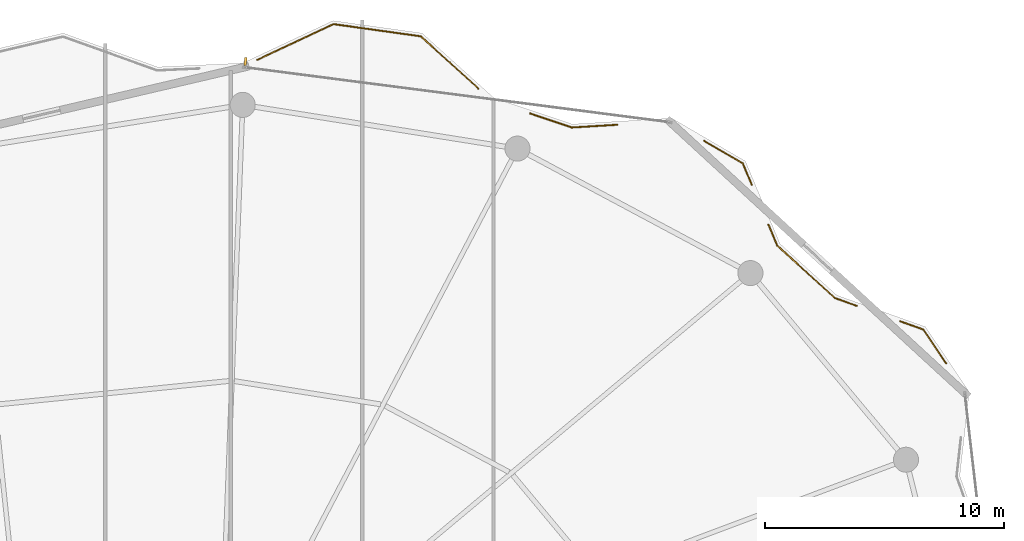
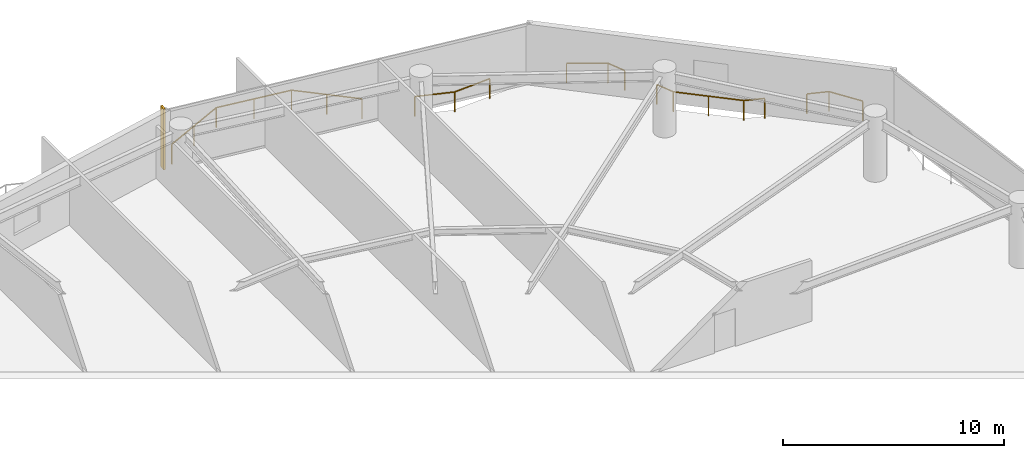
# One storey, part 31 of 31: 5 railings, 1 shading device.
"""IFC4 building model written with IfcOpenShell, lengths in metres."""

from ifc_helpers import new_model, si_unit, direction, frame, origin, origin_2d, place, context, subcontext, project, spatial, rectangle, extrude, material, type_object, element, save


model = new_model("IFC4")

# Units and contexts
model_context = context("Model", 3, precision=1e-05, world=origin(), true_north=direction((0.0, 1.0)))
body_context = subcontext(model_context, "Body", "Model", "MODEL_VIEW")
ifc_project = project(units=[si_unit("LENGTHUNIT", "METRE"), si_unit("AREAUNIT", "SQUARE_METRE"), si_unit("VOLUMEUNIT", "CUBIC_METRE"), si_unit("PLANEANGLEUNIT", "RADIAN"), si_unit("MASSUNIT", "GRAM", prefix="KILO")], contexts=[model_context])

# Site, building, storey
site_placement = place(None, origin())
site = spatial("IfcSite", under=ifc_project, at=site_placement, CompositionType="ELEMENT")
building_placement = place(site_placement, origin())
building = spatial("IfcBuilding", under=site, at=building_placement, Name="Kazevale Care Tower and Concert Hall", CompositionType="ELEMENT")
storey_placement = place(building_placement, frame((0.0, 0.0, 217.199951171875)))
storey = spatial("IfcBuildingStorey", under=building, at=storey_placement, Name="L57", CompositionType="ELEMENT", Elevation=217.199951171875)

# Railings
ifc_material_1 = material(Name="Anodised Bronze Aluminium and Laminated Glass", Category="aluminium")
railing_type = type_object("IfcRailingType", Name="Balcony and Terrace Balustrade 1120", PredefinedType="BALUSTRADE", material=ifc_material_1)
railing_1_placement = place(storey_placement, frame((45.610107421875, 63.931884765625, 0.0)))
element("IfcRailing", 1, at=railing_1_placement, inside=storey, type_object=railing_type, Name="rail:L57:perim:6", PredefinedType="BALUSTRADE", context=body_context, shape_type="SweptSolid", body=[
    extrude(rectangle(XDim=0.048095703125, YDim=0.048095703125, at=origin_2d()), frame((0.0, 0.0, 1.09619140625), z_axis=(0.905100997077, 0.42519664285, 0.0), x_axis=(-0.42519664285, 0.905100997077, 0.0)), (0.0, 0.0, 1.0), 3.525390625),
    extrude(rectangle(XDim=0.048095703125, YDim=0.048095703125, at=origin_2d()), frame((3.19091796875, 1.4990234375, 1.09619140625), z_axis=(0.990362854901, -0.138496987809, 0.0), x_axis=(0.138496987809, 0.990362854901, 0.0)), (0.0, 0.0, 1.0), 3.682373046875),
    extrude(rectangle(XDim=0.048095703125, YDim=0.048095703125, at=origin_2d()), frame((6.837890625, 0.989013671875, 1.09619140625), z_axis=(0.74237767764, -0.669981629407, 0.0), x_axis=(0.669981629407, 0.74237767764, 0.0)), (0.0, 0.0, 1.0), 3.260986328125),
    extrude(rectangle(XDim=0.0419921875, YDim=0.0419921875, at=origin_2d()), origin(), (0.0, 0.0, 1.0), 1.072021484375),
    extrude(rectangle(XDim=0.0419921875, YDim=0.0419921875, at=origin_2d()), frame((1.595458984375, 0.74951171875, 0.0)), (0.0, 0.0, 1.0), 1.072021484375),
    extrude(rectangle(XDim=0.0419921875, YDim=0.0419921875, at=origin_2d()), frame((3.19091796875, 1.4990234375, 0.0)), (0.0, 0.0, 1.0), 1.072021484375),
    extrude(rectangle(XDim=0.0419921875, YDim=0.0419921875, at=origin_2d()), frame((5.014404296875, 1.244140625, 0.0)), (0.0, 0.0, 1.0), 1.072021484375),
    extrude(rectangle(XDim=0.0419921875, YDim=0.0419921875, at=origin_2d()), frame((6.837890625, 0.989013671875, 0.0)), (0.0, 0.0, 1.0), 1.072021484375),
    extrude(rectangle(XDim=0.0419921875, YDim=0.0419921875, at=origin_2d()), frame((8.04833984375, -0.103515625, 0.0)), (0.0, 0.0, 1.0), 1.072021484375),
    extrude(rectangle(XDim=0.0419921875, YDim=0.0419921875, at=origin_2d()), frame((9.2587890625, -1.19580078125, 0.0)), (0.0, 0.0, 1.0), 1.072021484375),
])
railing_2_placement = place(storey_placement, frame((57.032958984375, 61.68994140625, 0.0)))
element("IfcRailing", 2, at=railing_2_placement, inside=storey, type_object=railing_type, Name="rail:L57:perim:7", PredefinedType="BALUSTRADE", context=body_context, shape_type="SweptSolid", body=[
    extrude(rectangle(XDim=0.048095703125, YDim=0.048095703125, at=origin_2d()), frame((0.0, 0.0, 1.09619140625), z_axis=(0.948045105832, -0.318135941554, 0.0), x_axis=(0.318135941554, 0.948045105832, 0.0)), (0.0, 0.0, 1.0), 1.841796875),
    extrude(rectangle(XDim=0.048095703125, YDim=0.048095703125, at=origin_2d()), frame((1.74609375, -0.5859375, 1.09619140625), z_axis=(0.998181354811, 0.060282525723, 0.0), x_axis=(-0.060282525723, 0.998181354811, 0.0)), (0.0, 0.0, 1.0), 1.907470703125),
    extrude(rectangle(XDim=0.0419921875, YDim=0.0419921875, at=origin_2d()), origin(), (0.0, 0.0, 1.0), 1.072021484375),
    extrude(rectangle(XDim=0.0419921875, YDim=0.0419921875, at=origin_2d()), frame((1.74609375, -0.5859375, 0.0)), (0.0, 0.0, 1.0), 1.072021484375),
    extrude(rectangle(XDim=0.0419921875, YDim=0.0419921875, at=origin_2d()), frame((3.650146484375, -0.470947265625, 0.0)), (0.0, 0.0, 1.0), 1.072021484375),
])
railing_3_placement = place(storey_placement, frame((64.31298828125, 60.54296875, 0.0)))
element("IfcRailing", 3, at=railing_3_placement, inside=storey, type_object=railing_type, Name="rail:L57:perim:8", PredefinedType="BALUSTRADE", context=body_context, shape_type="SweptSolid", body=[
    extrude(rectangle(XDim=0.048095703125, YDim=0.048095703125, at=origin_2d()), frame((0.0, 0.0, 1.09619140625), z_axis=(0.863897008105, -0.503668501483, 0.0), x_axis=(0.503668501483, 0.863897008105, 0.0)), (0.0, 0.0, 1.0), 1.8740234375),
    extrude(rectangle(XDim=0.048095703125, YDim=0.048095703125, at=origin_2d()), frame((1.618896484375, -0.94384765625, 1.09619140625), z_axis=(0.384958845263, -0.922933739471, 0.0), x_axis=(0.922933739471, 0.384958845263, 0.0)), (0.0, 0.0, 1.0), 0.958984375),
    extrude(rectangle(XDim=0.0419921875, YDim=0.0419921875, at=origin_2d()), origin(), (0.0, 0.0, 1.0), 1.072021484375),
    extrude(rectangle(XDim=0.0419921875, YDim=0.0419921875, at=origin_2d()), frame((1.618896484375, -0.94384765625, 0.0)), (0.0, 0.0, 1.0), 1.072021484375),
    extrude(rectangle(XDim=0.0419921875, YDim=0.0419921875, at=origin_2d()), frame((1.988037109375, -1.828857421875, 0.0)), (0.0, 0.0, 1.0), 1.072021484375),
])
railing_4_placement = place(storey_placement, frame((67.0029296875, 57.037109375, 0.0)))
element("IfcRailing", 4, at=railing_4_placement, inside=storey, type_object=railing_type, Name="rail:L57:perim:9", PredefinedType="BALUSTRADE", context=body_context, shape_type="SweptSolid", body=[
    extrude(rectangle(XDim=0.048095703125, YDim=0.048095703125, at=origin_2d()), frame((0.0, 0.0, 1.09619140625), z_axis=(0.385400252226, -0.922749503161, 0.0), x_axis=(0.922749503161, 0.385400252226, 0.0)), (0.0, 0.0, 1.0), 0.949462890625),
    extrude(rectangle(XDim=0.048095703125, YDim=0.048095703125, at=origin_2d()), frame((0.365966796875, -0.876220703125, 1.09619140625), z_axis=(0.740453598396, -0.672107482939, 0.0), x_axis=(0.672107482939, 0.740453598396, 0.0)), (0.0, 0.0, 1.0), 3.2685546875),
    extrude(rectangle(XDim=0.048095703125, YDim=0.048095703125, at=origin_2d()), frame((2.7861328125, -3.072998046875, 1.09619140625), z_axis=(0.941931266787, -0.33580573052, 0.0), x_axis=(0.33580573052, 0.941931266787, 0.0)), (0.0, 0.0, 1.0), 0.9619140625),
    extrude(rectangle(XDim=0.0419921875, YDim=0.0419921875, at=origin_2d()), origin(), (0.0, 0.0, 1.0), 1.072021484375),
    extrude(rectangle(XDim=0.0419921875, YDim=0.0419921875, at=origin_2d()), frame((0.365966796875, -0.876220703125, 0.0)), (0.0, 0.0, 1.0), 1.072021484375),
    extrude(rectangle(XDim=0.0419921875, YDim=0.0419921875, at=origin_2d()), frame((1.576171875, -1.974609375, 0.0)), (0.0, 0.0, 1.0), 1.072021484375),
    extrude(rectangle(XDim=0.0419921875, YDim=0.0419921875, at=origin_2d()), frame((2.7861328125, -3.072998046875, 0.0)), (0.0, 0.0, 1.0), 1.072021484375),
    extrude(rectangle(XDim=0.0419921875, YDim=0.0419921875, at=origin_2d()), frame((3.692138671875, -3.39599609375, 0.0)), (0.0, 0.0, 1.0), 1.072021484375),
])
railing_5_placement = place(storey_placement, frame((72.527099609375, 52.989013671875, 0.0)))
element("IfcRailing", 5, at=railing_5_placement, inside=storey, type_object=railing_type, Name="rail:L57:perim:10", PredefinedType="BALUSTRADE", context=body_context, shape_type="SweptSolid", body=[
    extrude(rectangle(XDim=0.048095703125, YDim=0.048095703125, at=origin_2d()), frame((0.0, 0.0, 1.09619140625), z_axis=(0.941882879888, -0.335941424319, 0.0), x_axis=(0.335941424319, 0.941882879888, 0.0)), (0.0, 0.0, 1.0), 1.01806640625),
    extrude(rectangle(XDim=0.048095703125, YDim=0.048095703125, at=origin_2d()), frame((0.958984375, -0.342041015625, 1.09619140625), z_axis=(0.558028145129, -0.829822022631, 0.0), x_axis=(0.829822022631, 0.558028145129, 0.0)), (0.0, 0.0, 1.0), 1.70751953125),
    extrude(rectangle(XDim=0.0419921875, YDim=0.0419921875, at=origin_2d()), origin(), (0.0, 0.0, 1.0), 1.072021484375),
    extrude(rectangle(XDim=0.0419921875, YDim=0.0419921875, at=origin_2d()), frame((0.958984375, -0.342041015625, 0.0)), (0.0, 0.0, 1.0), 1.072021484375),
    extrude(rectangle(XDim=0.0419921875, YDim=0.0419921875, at=origin_2d()), frame((1.911865234375, -1.759033203125, 0.0)), (0.0, 0.0, 1.0), 1.072021484375),
])

# Shading device
ifc_material_2 = material(Name="Anodised Bronze Aluminium", Category="aluminium")
shading_device_type = type_object("IfcShadingDeviceType", Name="Waist Anodised Bronze-Stone Fin FIN-02", PredefinedType="USERDEFINED", material=ifc_material_2)
shading_device_placement = place(storey_placement, frame((45.116455078125, 63.870849609375, 0.0), z_axis=(0.0, 0.0, 1.0), x_axis=(0.128103248172, 0.991760837, 0.0)))
element("IfcShadingDevice", 6, at=shading_device_placement, inside=storey, type_object=shading_device_type, Name="cw:L57:f16:fin", ObjectType="FIN", PredefinedType="USERDEFINED", context=body_context, shape_type="SweptSolid", body=[
    extrude(rectangle(XDim=0.340087890625, YDim=0.10009765625, at=origin_2d()), origin(), (0.0, 0.0, 1.0), 3.360107421875),
])

save(model, "model.ifc")
